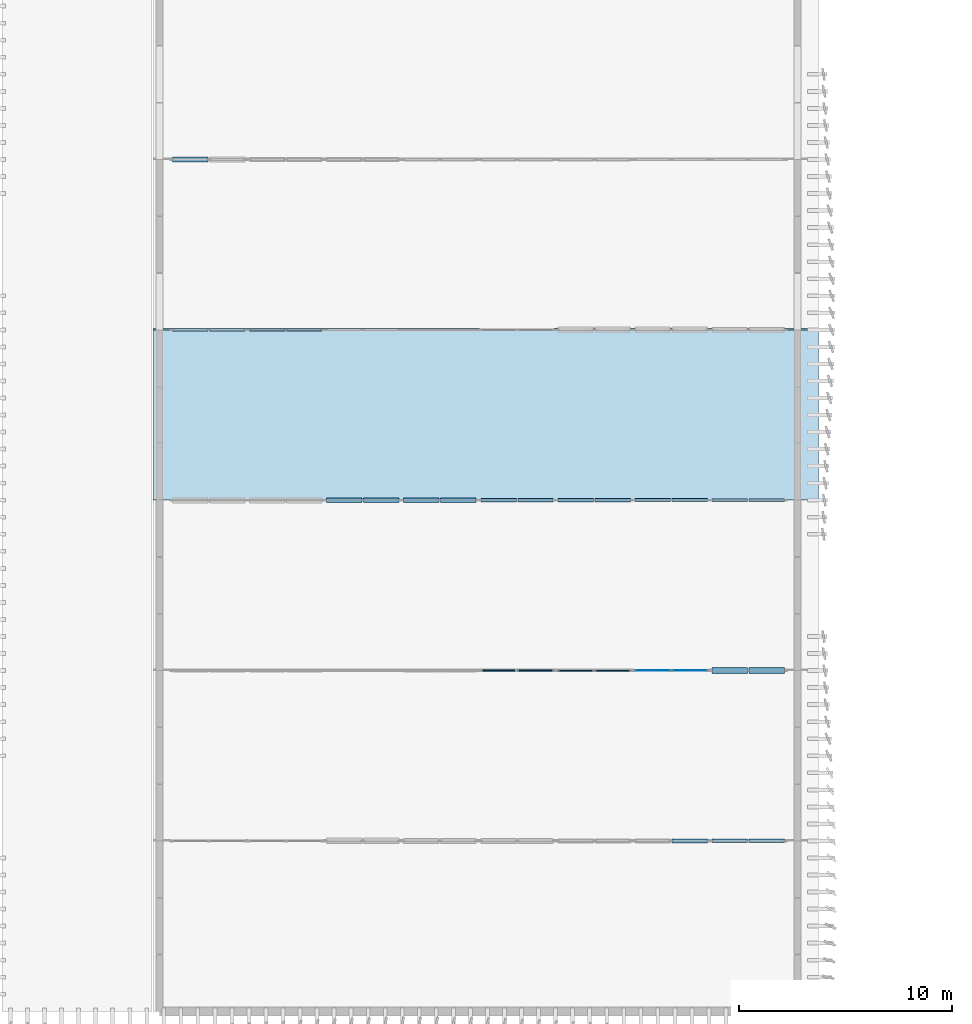
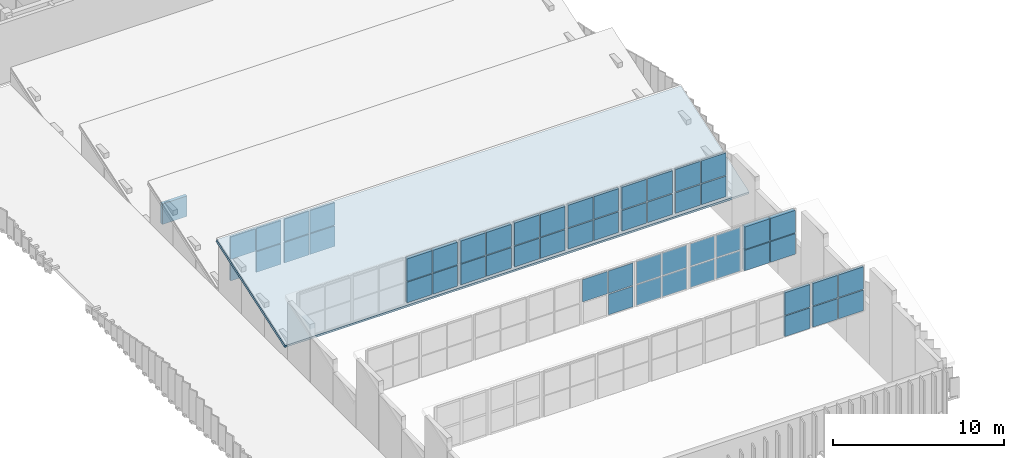
# One storey, part 19 of 45: 54 plates, 1 slab, 15 elements without a shape of their own.
"""IFC4 building model written with IfcOpenShell, lengths in metres."""

from ifc_helpers import new_model, si_unit, direction, frame, origin, origin_2d, place, context, subcontext, project, spatial, polyline, rectangle, outline, extrude, material, layer, layer_set, type_object, element, aggregate, save


model = new_model("IFC4")

# Units and contexts
model_context = context("Model", 3, precision=1e-05, world=origin(), true_north=direction((0.0, 1.0)))
body_context = subcontext(model_context, "Body", "Model", "MODEL_VIEW")
ifc_project = project(units=[si_unit("LENGTHUNIT", "METRE"), si_unit("AREAUNIT", "SQUARE_METRE"), si_unit("VOLUMEUNIT", "CUBIC_METRE"), si_unit("PLANEANGLEUNIT", "RADIAN"), si_unit("MASSUNIT", "GRAM", prefix="KILO")], contexts=[model_context])

# Site, building, storey
site_placement = place(None, origin())
site = spatial("IfcSite", under=ifc_project, at=site_placement, CompositionType="ELEMENT")
building_placement = place(site_placement, origin())
building = spatial("IfcBuilding", under=site, at=building_placement, Name="Cinchona Park Media Centre", CompositionType="ELEMENT")
storey_placement = place(building_placement, frame((0.0, 0.0, 20.39990234375)))
storey = spatial("IfcBuildingStorey", under=building, at=storey_placement, Name="L04", CompositionType="ELEMENT", Elevation=20.39990234375)

# Curtain wall, plates
ifc_material_1 = material(Name="Aluminium Curtain Wall Framing", Category="aluminium")
ifc_layer_1 = layer(ifc_material_1, 0.31494140625)
ifc_layer_set_1 = layer_set([ifc_layer_1], Name="Aluminium Curtain Wall Framing")
curtain_wall_type = type_object("IfcCurtainWallType", Name="CW-CW10", PredefinedType="USERDEFINED", material=ifc_layer_set_1)
curtain_wall_1_placement = place(storey_placement, origin())
curtain_wall_1 = element("IfcCurtainWall", 1, at=curtain_wall_1_placement, inside=storey, type_object=curtain_wall_type, Name="North-Light Sawtooth Clerestory V1 Bay 2.2 CW10 L04", ObjectType="UNITISED CURTAIN WALL", PredefinedType="USERDEFINED")
ifc_material_2 = material(Name="Laminated Solar-Control Double Glazing", Category="glass")
ifc_layer_2 = layer(ifc_material_2, 0.030029296875)
ifc_layer_set_2 = layer_set([ifc_layer_2], Name="Laminated Solar-Control Double Glazing")
plate_type_1 = type_object("IfcPlateType", Name="CWPANEL-PNL02", PredefinedType="CURTAIN_PANEL", material=ifc_layer_set_2)
plate_1_placement = place(storey_placement, frame((40.297607421875, 23.60009765625, 1.85009765625), z_axis=(0.0, 0.0, 1.0), x_axis=(-1.0, 0.0, 0.0)))
plate_1 = element("IfcPlate", 2, at=plate_1_placement, type_object=plate_type_1, Name="CW10 panel 1.1", PredefinedType="CURTAIN_PANEL", context=body_context, shape_type="SweptSolid", body=[
    extrude(rectangle(XDim=1.6650390625, YDim=0.030029296875, at=origin_2d()), origin(), (0.0, 0.0, 1.0), 1.4580078125),
])
plate_2_placement = place(storey_placement, frame((40.297607421875, 23.60009765625, 3.3779296875), z_axis=(0.0, 0.0, 1.0), x_axis=(-1.0, 0.0, 0.0)))
plate_2 = element("IfcPlate", 3, at=plate_2_placement, type_object=plate_type_1, Name="CW10 panel 1.2", PredefinedType="CURTAIN_PANEL", context=body_context, shape_type="SweptSolid", body=[
    extrude(rectangle(XDim=1.6650390625, YDim=0.030029296875, at=origin_2d()), origin(), (0.0, 0.0, 1.0), 1.589111328125),
])
plate_3_placement = place(storey_placement, frame((38.5625, 23.60009765625, 1.85009765625), z_axis=(0.0, 0.0, 1.0), x_axis=(-1.0, 0.0, 0.0)))
plate_3 = element("IfcPlate", 4, at=plate_3_placement, type_object=plate_type_1, Name="CW10 panel 2.1", PredefinedType="CURTAIN_PANEL", context=body_context, shape_type="SweptSolid", body=[
    extrude(rectangle(XDim=1.6650390625, YDim=0.030029296875, at=origin_2d()), origin(), (0.0, 0.0, 1.0), 1.4580078125),
])
plate_4_placement = place(storey_placement, frame((38.5625, 23.60009765625, 3.3779296875), z_axis=(0.0, 0.0, 1.0), x_axis=(-1.0, 0.0, 0.0)))
plate_4 = element("IfcPlate", 5, at=plate_4_placement, type_object=plate_type_1, Name="CW10 panel 2.2", PredefinedType="CURTAIN_PANEL", context=body_context, shape_type="SweptSolid", body=[
    extrude(rectangle(XDim=1.6650390625, YDim=0.030029296875, at=origin_2d()), origin(), (0.0, 0.0, 1.0), 1.589111328125),
])
aggregate(curtain_wall_1, [plate_1, plate_2, plate_3, plate_4])

curtain_wall_2_placement = place(storey_placement, origin())
curtain_wall_2 = element("IfcCurtainWall", 6, at=curtain_wall_2_placement, inside=storey, type_object=curtain_wall_type, Name="North-Light Sawtooth Clerestory V1 Bay 2.3 CW10 L04", ObjectType="UNITISED CURTAIN WALL", PredefinedType="USERDEFINED")
ifc_material_3 = material(Name="Laminated Solar-Control Double Glazing", Category="glass")
ifc_layer_3 = layer(ifc_material_3, 0.050048828125)
ifc_layer_set_3 = layer_set([ifc_layer_3], Name="Laminated Solar-Control Double Glazing")
plate_type_2 = type_object("IfcPlateType", Name="CWPANEL-PNL04", PredefinedType="CURTAIN_PANEL", material=ifc_layer_set_3)
plate_5_placement = place(storey_placement, frame((36.677490234375, 23.60009765625, 1.85009765625), z_axis=(0.0, 0.0, 1.0), x_axis=(-1.0, 0.0, 0.0)))
plate_5 = element("IfcPlate", 7, at=plate_5_placement, type_object=plate_type_2, Name="CW10 panel 1.1", PredefinedType="CURTAIN_PANEL", context=body_context, shape_type="SweptSolid", body=[
    extrude(rectangle(XDim=1.6650390625, YDim=0.050048828125, at=origin_2d()), origin(), (0.0, 0.0, 1.0), 1.4580078125),
])
plate_6_placement = place(storey_placement, frame((36.677490234375, 23.60009765625, 3.3779296875), z_axis=(0.0, 0.0, 1.0), x_axis=(-1.0, 0.0, 0.0)))
plate_6 = element("IfcPlate", 8, at=plate_6_placement, type_object=plate_type_2, Name="CW10 panel 1.2", PredefinedType="CURTAIN_PANEL", context=body_context, shape_type="SweptSolid", body=[
    extrude(rectangle(XDim=1.6650390625, YDim=0.050048828125, at=origin_2d()), origin(), (0.0, 0.0, 1.0), 1.589111328125),
])
plate_7_placement = place(storey_placement, frame((34.9423828125, 23.60009765625, 1.85009765625), z_axis=(0.0, 0.0, 1.0), x_axis=(-1.0, 0.0, 0.0)))
plate_7 = element("IfcPlate", 9, at=plate_7_placement, type_object=plate_type_2, Name="CW10 panel 2.1", PredefinedType="CURTAIN_PANEL", context=body_context, shape_type="SweptSolid", body=[
    extrude(rectangle(XDim=1.6650390625, YDim=0.050048828125, at=origin_2d()), origin(), (0.0, 0.0, 1.0), 1.4580078125),
])
plate_8_placement = place(storey_placement, frame((34.9423828125, 23.60009765625, 3.3779296875), z_axis=(0.0, 0.0, 1.0), x_axis=(-1.0, 0.0, 0.0)))
plate_8 = element("IfcPlate", 10, at=plate_8_placement, type_object=plate_type_2, Name="CW10 panel 2.2", PredefinedType="CURTAIN_PANEL", context=body_context, shape_type="SweptSolid", body=[
    extrude(rectangle(XDim=1.6650390625, YDim=0.050048828125, at=origin_2d()), origin(), (0.0, 0.0, 1.0), 1.589111328125),
])
aggregate(curtain_wall_2, [plate_5, plate_6, plate_7, plate_8])

curtain_wall_3_placement = place(storey_placement, origin())
curtain_wall_3 = element("IfcCurtainWall", 11, at=curtain_wall_3_placement, inside=storey, type_object=curtain_wall_type, Name="North-Light Sawtooth Clerestory V1 Bay 2.4 CW10 L04", ObjectType="UNITISED CURTAIN WALL", PredefinedType="USERDEFINED")
ifc_material_4 = material(Name="Laminated Solar-Control Double Glazing", Category="glass")
ifc_layer_4 = layer(ifc_material_4, 0.070068359375)
ifc_layer_set_4 = layer_set([ifc_layer_4], Name="Laminated Solar-Control Double Glazing")
plate_type_3 = type_object("IfcPlateType", Name="CWPANEL-PNL06", PredefinedType="CURTAIN_PANEL", material=ifc_layer_set_4)
plate_9_placement = place(storey_placement, frame((33.0576171875, 23.60009765625, 1.85009765625), z_axis=(0.0, 0.0, 1.0), x_axis=(-1.0, 0.0, 0.0)))
plate_9 = element("IfcPlate", 12, at=plate_9_placement, type_object=plate_type_3, Name="CW10 panel 1.1", PredefinedType="CURTAIN_PANEL", context=body_context, shape_type="SweptSolid", body=[
    extrude(rectangle(XDim=1.6650390625, YDim=0.070068359375, at=origin_2d()), origin(), (0.0, 0.0, 1.0), 1.4580078125),
])
plate_10_placement = place(storey_placement, frame((33.0576171875, 23.60009765625, 3.3779296875), z_axis=(0.0, 0.0, 1.0), x_axis=(-1.0, 0.0, 0.0)))
plate_10 = element("IfcPlate", 13, at=plate_10_placement, type_object=plate_type_3, Name="CW10 panel 1.2", PredefinedType="CURTAIN_PANEL", context=body_context, shape_type="SweptSolid", body=[
    extrude(rectangle(XDim=1.6650390625, YDim=0.070068359375, at=origin_2d()), origin(), (0.0, 0.0, 1.0), 1.589111328125),
])
plate_11_placement = place(storey_placement, frame((31.322509765625, 23.60009765625, 3.3779296875), z_axis=(0.0, 0.0, 1.0), x_axis=(-1.0, 0.0, 0.0)))
plate_11 = element("IfcPlate", 14, at=plate_11_placement, type_object=plate_type_3, Name="CW10 panel 2.2", PredefinedType="CURTAIN_PANEL", context=body_context, shape_type="SweptSolid", body=[
    extrude(rectangle(XDim=1.6650390625, YDim=0.070068359375, at=origin_2d()), origin(), (0.0, 0.0, 1.0), 1.589111328125),
])
aggregate(curtain_wall_3, [plate_9, plate_10, plate_11])

curtain_wall_4_placement = place(storey_placement, origin())
curtain_wall_4 = element("IfcCurtainWall", 15, at=curtain_wall_4_placement, inside=storey, type_object=curtain_wall_type, Name="North-Light Sawtooth Clerestory V1 Bay 4.7 CW10 L04", ObjectType="UNITISED CURTAIN WALL", PredefinedType="USERDEFINED")
ifc_material_5 = material(Name="Insulated Acoustic Aluminium-Glass Spandrel Cassette", Category="aluminium")
ifc_layer_5 = layer(ifc_material_5, 0.090087890625)
ifc_layer_set_5 = layer_set([ifc_layer_5], Name="Insulated Acoustic Aluminium-Glass Spandrel Cassette")
plate_type_4 = type_object("IfcPlateType", Name="CWPANEL-PNL08", PredefinedType="CURTAIN_PANEL", material=ifc_layer_set_5)
plate_12_placement = place(storey_placement, frame((22.197509765625, 39.60009765625, 0.25), z_axis=(0.0, 0.0, 1.0), x_axis=(-1.0, 0.0, 0.0)))
plate_12 = element("IfcPlate", 16, at=plate_12_placement, type_object=plate_type_4, Name="CW10 panel 1.1", PredefinedType="CURTAIN_PANEL", context=body_context, shape_type="SweptSolid", body=[
    extrude(rectangle(XDim=1.6650390625, YDim=0.090087890625, at=origin_2d()), origin(), (0.0, 0.0, 1.0), 1.4580078125),
])
plate_13_placement = place(storey_placement, frame((22.197509765625, 39.60009765625, 1.77783203125), z_axis=(0.0, 0.0, 1.0), x_axis=(-1.0, 0.0, 0.0)))
plate_13 = element("IfcPlate", 17, at=plate_13_placement, type_object=plate_type_4, Name="CW10 panel 1.2", PredefinedType="CURTAIN_PANEL", context=body_context, shape_type="SweptSolid", body=[
    extrude(rectangle(XDim=1.6650390625, YDim=0.090087890625, at=origin_2d()), origin(), (0.0, 0.0, 1.0), 1.589111328125),
])
plate_14_placement = place(storey_placement, frame((20.46240234375, 39.60009765625, 0.25), z_axis=(0.0, 0.0, 1.0), x_axis=(-1.0, 0.0, 0.0)))
plate_14 = element("IfcPlate", 18, at=plate_14_placement, type_object=plate_type_4, Name="CW10 panel 2.1", PredefinedType="CURTAIN_PANEL", context=body_context, shape_type="SweptSolid", body=[
    extrude(rectangle(XDim=1.6650390625, YDim=0.090087890625, at=origin_2d()), origin(), (0.0, 0.0, 1.0), 1.4580078125),
])
plate_15_placement = place(storey_placement, frame((20.46240234375, 39.60009765625, 1.77783203125), z_axis=(0.0, 0.0, 1.0), x_axis=(-1.0, 0.0, 0.0)))
plate_15 = element("IfcPlate", 19, at=plate_15_placement, type_object=plate_type_4, Name="CW10 panel 2.2", PredefinedType="CURTAIN_PANEL", context=body_context, shape_type="SweptSolid", body=[
    extrude(rectangle(XDim=1.6650390625, YDim=0.090087890625, at=origin_2d()), origin(), (0.0, 0.0, 1.0), 1.589111328125),
])
aggregate(curtain_wall_4, [plate_12, plate_13, plate_14, plate_15])

curtain_wall_5_placement = place(storey_placement, origin())
curtain_wall_5 = element("IfcCurtainWall", 20, at=curtain_wall_5_placement, inside=storey, type_object=curtain_wall_type, Name="North-Light Sawtooth Clerestory V1 Bay 4.8 CW10 L04", ObjectType="UNITISED CURTAIN WALL", PredefinedType="USERDEFINED")
ifc_material_6 = material(Name="Insulated Acoustic Aluminium-Glass Spandrel Cassette", Category="aluminium")
ifc_layer_6 = layer(ifc_material_6, 0.110107421875)
ifc_layer_set_6 = layer_set([ifc_layer_6], Name="Insulated Acoustic Aluminium-Glass Spandrel Cassette")
plate_type_5 = type_object("IfcPlateType", Name="CWPANEL-PNL10", PredefinedType="CURTAIN_PANEL", material=ifc_layer_set_6)
plate_16_placement = place(storey_placement, frame((18.577392578125, 39.60009765625, 0.25), z_axis=(0.0, 0.0, 1.0), x_axis=(-1.0, 0.0, 0.0)))
plate_16 = element("IfcPlate", 21, at=plate_16_placement, type_object=plate_type_5, Name="CW10 panel 1.1", PredefinedType="CURTAIN_PANEL", context=body_context, shape_type="SweptSolid", body=[
    extrude(rectangle(XDim=1.6650390625, YDim=0.110107421875, at=origin_2d()), origin(), (0.0, 0.0, 1.0), 1.4580078125),
])
plate_17_placement = place(storey_placement, frame((18.577392578125, 39.60009765625, 1.77783203125), z_axis=(0.0, 0.0, 1.0), x_axis=(-1.0, 0.0, 0.0)))
plate_17 = element("IfcPlate", 22, at=plate_17_placement, type_object=plate_type_5, Name="CW10 panel 1.2", PredefinedType="CURTAIN_PANEL", context=body_context, shape_type="SweptSolid", body=[
    extrude(rectangle(XDim=1.6650390625, YDim=0.110107421875, at=origin_2d()), origin(), (0.0, 0.0, 1.0), 1.589111328125),
])
plate_18_placement = place(storey_placement, frame((16.842529296875, 39.60009765625, 0.25), z_axis=(0.0, 0.0, 1.0), x_axis=(-1.0, 0.0, 0.0)))
plate_18 = element("IfcPlate", 23, at=plate_18_placement, type_object=plate_type_5, Name="CW10 panel 2.1", PredefinedType="CURTAIN_PANEL", context=body_context, shape_type="SweptSolid", body=[
    extrude(rectangle(XDim=1.6650390625, YDim=0.110107421875, at=origin_2d()), origin(), (0.0, 0.0, 1.0), 1.4580078125),
])
plate_19_placement = place(storey_placement, frame((16.842529296875, 39.60009765625, 1.77783203125), z_axis=(0.0, 0.0, 1.0), x_axis=(-1.0, 0.0, 0.0)))
plate_19 = element("IfcPlate", 24, at=plate_19_placement, type_object=plate_type_5, Name="CW10 panel 2.2", PredefinedType="CURTAIN_PANEL", context=body_context, shape_type="SweptSolid", body=[
    extrude(rectangle(XDim=1.6650390625, YDim=0.110107421875, at=origin_2d()), origin(), (0.0, 0.0, 1.0), 1.589111328125),
])
aggregate(curtain_wall_5, [plate_16, plate_17, plate_18, plate_19])

curtain_wall_6_placement = place(storey_placement, origin())
curtain_wall_6 = element("IfcCurtainWall", 25, at=curtain_wall_6_placement, inside=storey, type_object=curtain_wall_type, Name="North-Light Sawtooth Clerestory V1 Bay 3.1 CW10 L04", ObjectType="UNITISED CURTAIN WALL", PredefinedType="USERDEFINED")
ifc_material_7 = material(Name="Insulated Acoustic Aluminium-Glass Spandrel Cassette", Category="aluminium")
ifc_layer_7 = layer(ifc_material_7, 0.1201171875)
ifc_layer_set_7 = layer_set([ifc_layer_7], Name="Insulated Acoustic Aluminium-Glass Spandrel Cassette")
plate_type_6 = type_object("IfcPlateType", Name="CWPANEL-PNL11", PredefinedType="CURTAIN_PANEL", material=ifc_layer_set_7)
plate_20_placement = place(storey_placement, frame((43.91748046875, 31.60009765625, 1.050048828125), z_axis=(0.0, 0.0, 1.0), x_axis=(-1.0, 0.0, 0.0)))
plate_20 = element("IfcPlate", 26, at=plate_20_placement, type_object=plate_type_6, Name="CW10 panel 1.1", PredefinedType="CURTAIN_PANEL", context=body_context, shape_type="SweptSolid", body=[
    extrude(rectangle(XDim=1.6650390625, YDim=0.1201171875, at=origin_2d()), origin(), (0.0, 0.0, 1.0), 1.4580078125),
])
plate_21_placement = place(storey_placement, frame((43.91748046875, 31.60009765625, 2.578125), z_axis=(0.0, 0.0, 1.0), x_axis=(-1.0, 0.0, 0.0)))
plate_21 = element("IfcPlate", 27, at=plate_21_placement, type_object=plate_type_6, Name="CW10 panel 1.2", PredefinedType="CURTAIN_PANEL", context=body_context, shape_type="SweptSolid", body=[
    extrude(rectangle(XDim=1.6650390625, YDim=0.1201171875, at=origin_2d()), origin(), (0.0, 0.0, 1.0), 1.589111328125),
])
plate_22_placement = place(storey_placement, frame((42.1826171875, 31.60009765625, 1.050048828125), z_axis=(0.0, 0.0, 1.0), x_axis=(-1.0, 0.0, 0.0)))
plate_22 = element("IfcPlate", 28, at=plate_22_placement, type_object=plate_type_6, Name="CW10 panel 2.1", PredefinedType="CURTAIN_PANEL", context=body_context, shape_type="SweptSolid", body=[
    extrude(rectangle(XDim=1.6650390625, YDim=0.1201171875, at=origin_2d()), origin(), (0.0, 0.0, 1.0), 1.4580078125),
])
plate_23_placement = place(storey_placement, frame((42.1826171875, 31.60009765625, 2.578125), z_axis=(0.0, 0.0, 1.0), x_axis=(-1.0, 0.0, 0.0)))
plate_23 = element("IfcPlate", 29, at=plate_23_placement, type_object=plate_type_6, Name="CW10 panel 2.2", PredefinedType="CURTAIN_PANEL", context=body_context, shape_type="SweptSolid", body=[
    extrude(rectangle(XDim=1.6650390625, YDim=0.1201171875, at=origin_2d()), origin(), (0.0, 0.0, 1.0), 1.589111328125),
])
aggregate(curtain_wall_6, [plate_20, plate_21, plate_22, plate_23])

curtain_wall_7_placement = place(storey_placement, origin())
curtain_wall_7 = element("IfcCurtainWall", 30, at=curtain_wall_7_placement, inside=storey, type_object=curtain_wall_type, Name="North-Light Sawtooth Clerestory V1 Bay 3.2 CW10 L04", ObjectType="UNITISED CURTAIN WALL", PredefinedType="USERDEFINED")
ifc_material_8 = material(Name="Insulated Acoustic Aluminium-Glass Spandrel Cassette", Category="aluminium")
ifc_layer_8 = layer(ifc_material_8, 0.139892578125)
ifc_layer_set_8 = layer_set([ifc_layer_8], Name="Insulated Acoustic Aluminium-Glass Spandrel Cassette")
plate_type_7 = type_object("IfcPlateType", Name="CWPANEL-PNL13", PredefinedType="CURTAIN_PANEL", material=ifc_layer_set_8)
plate_24_placement = place(storey_placement, frame((40.297607421875, 31.60009765625, 1.050048828125), z_axis=(0.0, 0.0, 1.0), x_axis=(-1.0, 0.0, 0.0)))
plate_24 = element("IfcPlate", 31, at=plate_24_placement, type_object=plate_type_7, Name="CW10 panel 1.1", PredefinedType="CURTAIN_PANEL", context=body_context, shape_type="SweptSolid", body=[
    extrude(rectangle(XDim=1.6650390625, YDim=0.139892578125, at=origin_2d()), origin(), (0.0, 0.0, 1.0), 1.4580078125),
])
plate_25_placement = place(storey_placement, frame((40.297607421875, 31.60009765625, 2.578125), z_axis=(0.0, 0.0, 1.0), x_axis=(-1.0, 0.0, 0.0)))
plate_25 = element("IfcPlate", 32, at=plate_25_placement, type_object=plate_type_7, Name="CW10 panel 1.2", PredefinedType="CURTAIN_PANEL", context=body_context, shape_type="SweptSolid", body=[
    extrude(rectangle(XDim=1.6650390625, YDim=0.139892578125, at=origin_2d()), origin(), (0.0, 0.0, 1.0), 1.589111328125),
])
plate_26_placement = place(storey_placement, frame((38.5625, 31.60009765625, 1.050048828125), z_axis=(0.0, 0.0, 1.0), x_axis=(-1.0, 0.0, 0.0)))
plate_26 = element("IfcPlate", 33, at=plate_26_placement, type_object=plate_type_7, Name="CW10 panel 2.1", PredefinedType="CURTAIN_PANEL", context=body_context, shape_type="SweptSolid", body=[
    extrude(rectangle(XDim=1.6650390625, YDim=0.139892578125, at=origin_2d()), origin(), (0.0, 0.0, 1.0), 1.4580078125),
])
plate_27_placement = place(storey_placement, frame((38.5625, 31.60009765625, 2.578125), z_axis=(0.0, 0.0, 1.0), x_axis=(-1.0, 0.0, 0.0)))
plate_27 = element("IfcPlate", 34, at=plate_27_placement, type_object=plate_type_7, Name="CW10 panel 2.2", PredefinedType="CURTAIN_PANEL", context=body_context, shape_type="SweptSolid", body=[
    extrude(rectangle(XDim=1.6650390625, YDim=0.139892578125, at=origin_2d()), origin(), (0.0, 0.0, 1.0), 1.589111328125),
])
aggregate(curtain_wall_7, [plate_24, plate_25, plate_26, plate_27])

curtain_wall_8_placement = place(storey_placement, origin())
curtain_wall_8 = element("IfcCurtainWall", 35, at=curtain_wall_8_placement, inside=storey, type_object=curtain_wall_type, Name="North-Light Sawtooth Clerestory V1 Bay 1.1 CW10 L04", ObjectType="UNITISED CURTAIN WALL", PredefinedType="USERDEFINED")
ifc_material_9 = material(Name="Insulated Acoustic Aluminium-Glass Spandrel Cassette", Category="aluminium")
ifc_layer_9 = layer(ifc_material_9, 0.159912109375)
ifc_layer_set_9 = layer_set([ifc_layer_9], Name="Insulated Acoustic Aluminium-Glass Spandrel Cassette")
plate_type_8 = type_object("IfcPlateType", Name="CWPANEL-PNL15", PredefinedType="CURTAIN_PANEL", material=ifc_layer_set_9)
plate_28_placement = place(storey_placement, frame((43.91748046875, 15.60009765625, 2.650146484375), z_axis=(0.0, 0.0, 1.0), x_axis=(-1.0, 0.0, 0.0)))
plate_28 = element("IfcPlate", 36, at=plate_28_placement, type_object=plate_type_8, Name="CW10 panel 1.1", PredefinedType="CURTAIN_PANEL", context=body_context, shape_type="SweptSolid", body=[
    extrude(rectangle(XDim=1.6650390625, YDim=0.159912109375, at=origin_2d()), origin(), (0.0, 0.0, 1.0), 1.4580078125),
])
plate_29_placement = place(storey_placement, frame((43.91748046875, 15.60009765625, 4.17822265625), z_axis=(0.0, 0.0, 1.0), x_axis=(-1.0, 0.0, 0.0)))
plate_29 = element("IfcPlate", 37, at=plate_29_placement, type_object=plate_type_8, Name="CW10 panel 1.2", PredefinedType="CURTAIN_PANEL", context=body_context, shape_type="SweptSolid", body=[
    extrude(rectangle(XDim=1.6650390625, YDim=0.159912109375, at=origin_2d()), origin(), (0.0, 0.0, 1.0), 1.589111328125),
])
plate_30_placement = place(storey_placement, frame((42.1826171875, 15.60009765625, 2.650146484375), z_axis=(0.0, 0.0, 1.0), x_axis=(-1.0, 0.0, 0.0)))
plate_30 = element("IfcPlate", 38, at=plate_30_placement, type_object=plate_type_8, Name="CW10 panel 2.1", PredefinedType="CURTAIN_PANEL", context=body_context, shape_type="SweptSolid", body=[
    extrude(rectangle(XDim=1.6650390625, YDim=0.159912109375, at=origin_2d()), origin(), (0.0, 0.0, 1.0), 1.4580078125),
])
plate_31_placement = place(storey_placement, frame((42.1826171875, 15.60009765625, 4.17822265625), z_axis=(0.0, 0.0, 1.0), x_axis=(-1.0, 0.0, 0.0)))
plate_31 = element("IfcPlate", 39, at=plate_31_placement, type_object=plate_type_8, Name="CW10 panel 2.2", PredefinedType="CURTAIN_PANEL", context=body_context, shape_type="SweptSolid", body=[
    extrude(rectangle(XDim=1.6650390625, YDim=0.159912109375, at=origin_2d()), origin(), (0.0, 0.0, 1.0), 1.589111328125),
])
aggregate(curtain_wall_8, [plate_28, plate_29, plate_30, plate_31])

curtain_wall_9_placement = place(storey_placement, origin())
curtain_wall_9 = element("IfcCurtainWall", 40, at=curtain_wall_9_placement, inside=storey, type_object=curtain_wall_type, Name="North-Light Sawtooth Clerestory V1 Bay 3.3 CW10 L04", ObjectType="UNITISED CURTAIN WALL", PredefinedType="USERDEFINED")
plate_32_placement = place(storey_placement, frame((36.677490234375, 31.60009765625, 1.050048828125), z_axis=(0.0, 0.0, 1.0), x_axis=(-1.0, 0.0, 0.0)))
plate_32 = element("IfcPlate", 41, at=plate_32_placement, type_object=plate_type_8, Name="CW10 panel 1.1", PredefinedType="CURTAIN_PANEL", context=body_context, shape_type="SweptSolid", body=[
    extrude(rectangle(XDim=1.6650390625, YDim=0.159912109375, at=origin_2d()), origin(), (0.0, 0.0, 1.0), 1.4580078125),
])
plate_33_placement = place(storey_placement, frame((36.677490234375, 31.60009765625, 2.578125), z_axis=(0.0, 0.0, 1.0), x_axis=(-1.0, 0.0, 0.0)))
plate_33 = element("IfcPlate", 42, at=plate_33_placement, type_object=plate_type_8, Name="CW10 panel 1.2", PredefinedType="CURTAIN_PANEL", context=body_context, shape_type="SweptSolid", body=[
    extrude(rectangle(XDim=1.6650390625, YDim=0.159912109375, at=origin_2d()), origin(), (0.0, 0.0, 1.0), 1.589111328125),
])
plate_34_placement = place(storey_placement, frame((34.9423828125, 31.60009765625, 1.050048828125), z_axis=(0.0, 0.0, 1.0), x_axis=(-1.0, 0.0, 0.0)))
plate_34 = element("IfcPlate", 43, at=plate_34_placement, type_object=plate_type_8, Name="CW10 panel 2.1", PredefinedType="CURTAIN_PANEL", context=body_context, shape_type="SweptSolid", body=[
    extrude(rectangle(XDim=1.6650390625, YDim=0.159912109375, at=origin_2d()), origin(), (0.0, 0.0, 1.0), 1.4580078125),
])
plate_35_placement = place(storey_placement, frame((34.9423828125, 31.60009765625, 2.578125), z_axis=(0.0, 0.0, 1.0), x_axis=(-1.0, 0.0, 0.0)))
plate_35 = element("IfcPlate", 44, at=plate_35_placement, type_object=plate_type_8, Name="CW10 panel 2.2", PredefinedType="CURTAIN_PANEL", context=body_context, shape_type="SweptSolid", body=[
    extrude(rectangle(XDim=1.6650390625, YDim=0.159912109375, at=origin_2d()), origin(), (0.0, 0.0, 1.0), 1.589111328125),
])
aggregate(curtain_wall_9, [plate_32, plate_33, plate_34, plate_35])

curtain_wall_10_placement = place(storey_placement, origin())
curtain_wall_10 = element("IfcCurtainWall", 45, at=curtain_wall_10_placement, inside=storey, type_object=curtain_wall_type, Name="North-Light Sawtooth Clerestory V1 Bay 1.2 CW10 L04", ObjectType="UNITISED CURTAIN WALL", PredefinedType="USERDEFINED")
ifc_material_10 = material(Name="Insulated Acoustic Aluminium-Glass Spandrel Cassette", Category="aluminium")
ifc_layer_10 = layer(ifc_material_10, 0.179931640625)
ifc_layer_set_10 = layer_set([ifc_layer_10], Name="Insulated Acoustic Aluminium-Glass Spandrel Cassette")
plate_type_9 = type_object("IfcPlateType", Name="CWPANEL-PNL17", PredefinedType="CURTAIN_PANEL", material=ifc_layer_set_10)
plate_36_placement = place(storey_placement, frame((40.297607421875, 15.60009765625, 2.650146484375), z_axis=(0.0, 0.0, 1.0), x_axis=(-1.0, 0.0, 0.0)))
plate_36 = element("IfcPlate", 46, at=plate_36_placement, type_object=plate_type_9, Name="CW10 panel 1.1", PredefinedType="CURTAIN_PANEL", context=body_context, shape_type="SweptSolid", body=[
    extrude(rectangle(XDim=1.6650390625, YDim=0.179931640625, at=origin_2d()), origin(), (0.0, 0.0, 1.0), 1.4580078125),
])
plate_37_placement = place(storey_placement, frame((40.297607421875, 15.60009765625, 4.17822265625), z_axis=(0.0, 0.0, 1.0), x_axis=(-1.0, 0.0, 0.0)))
plate_37 = element("IfcPlate", 47, at=plate_37_placement, type_object=plate_type_9, Name="CW10 panel 1.2", PredefinedType="CURTAIN_PANEL", context=body_context, shape_type="SweptSolid", body=[
    extrude(rectangle(XDim=1.6650390625, YDim=0.179931640625, at=origin_2d()), origin(), (0.0, 0.0, 1.0), 1.589111328125),
])
aggregate(curtain_wall_10, [plate_36, plate_37])

curtain_wall_11_placement = place(storey_placement, origin())
curtain_wall_11 = element("IfcCurtainWall", 48, at=curtain_wall_11_placement, inside=storey, type_object=curtain_wall_type, Name="North-Light Sawtooth Clerestory V1 Bay 3.4 CW10 L04", ObjectType="UNITISED CURTAIN WALL", PredefinedType="USERDEFINED")
plate_38_placement = place(storey_placement, frame((33.0576171875, 31.60009765625, 1.050048828125), z_axis=(0.0, 0.0, 1.0), x_axis=(-1.0, 0.0, 0.0)))
plate_38 = element("IfcPlate", 49, at=plate_38_placement, type_object=plate_type_9, Name="CW10 panel 1.1", PredefinedType="CURTAIN_PANEL", context=body_context, shape_type="SweptSolid", body=[
    extrude(rectangle(XDim=1.6650390625, YDim=0.179931640625, at=origin_2d()), origin(), (0.0, 0.0, 1.0), 1.4580078125),
])
plate_39_placement = place(storey_placement, frame((33.0576171875, 31.60009765625, 2.578125), z_axis=(0.0, 0.0, 1.0), x_axis=(-1.0, 0.0, 0.0)))
plate_39 = element("IfcPlate", 50, at=plate_39_placement, type_object=plate_type_9, Name="CW10 panel 1.2", PredefinedType="CURTAIN_PANEL", context=body_context, shape_type="SweptSolid", body=[
    extrude(rectangle(XDim=1.6650390625, YDim=0.179931640625, at=origin_2d()), origin(), (0.0, 0.0, 1.0), 1.589111328125),
])
plate_40_placement = place(storey_placement, frame((31.322509765625, 31.60009765625, 1.050048828125), z_axis=(0.0, 0.0, 1.0), x_axis=(-1.0, 0.0, 0.0)))
plate_40 = element("IfcPlate", 51, at=plate_40_placement, type_object=plate_type_9, Name="CW10 panel 2.1", PredefinedType="CURTAIN_PANEL", context=body_context, shape_type="SweptSolid", body=[
    extrude(rectangle(XDim=1.6650390625, YDim=0.179931640625, at=origin_2d()), origin(), (0.0, 0.0, 1.0), 1.4580078125),
])
plate_41_placement = place(storey_placement, frame((31.322509765625, 31.60009765625, 2.578125), z_axis=(0.0, 0.0, 1.0), x_axis=(-1.0, 0.0, 0.0)))
plate_41 = element("IfcPlate", 52, at=plate_41_placement, type_object=plate_type_9, Name="CW10 panel 2.2", PredefinedType="CURTAIN_PANEL", context=body_context, shape_type="SweptSolid", body=[
    extrude(rectangle(XDim=1.6650390625, YDim=0.179931640625, at=origin_2d()), origin(), (0.0, 0.0, 1.0), 1.589111328125),
])
aggregate(curtain_wall_11, [plate_38, plate_39, plate_40, plate_41])

curtain_wall_12_placement = place(storey_placement, origin())
curtain_wall_12 = element("IfcCurtainWall", 53, at=curtain_wall_12_placement, inside=storey, type_object=curtain_wall_type, Name="North-Light Sawtooth Clerestory V1 Bay 3.5 CW10 L04", ObjectType="UNITISED CURTAIN WALL", PredefinedType="USERDEFINED")
ifc_material_11 = material(Name="Insulated Acoustic Aluminium-Glass Spandrel Cassette", Category="aluminium")
ifc_layer_11 = layer(ifc_material_11, 0.199951171875)
ifc_layer_set_11 = layer_set([ifc_layer_11], Name="Insulated Acoustic Aluminium-Glass Spandrel Cassette")
plate_type_10 = type_object("IfcPlateType", Name="CWPANEL-PNL19", PredefinedType="CURTAIN_PANEL", material=ifc_layer_set_11)
plate_42_placement = place(storey_placement, frame((29.4375, 31.60009765625, 1.050048828125), z_axis=(0.0, 0.0, 1.0), x_axis=(-1.0, 0.0, 0.0)))
plate_42 = element("IfcPlate", 54, at=plate_42_placement, type_object=plate_type_10, Name="CW10 panel 1.1", PredefinedType="CURTAIN_PANEL", context=body_context, shape_type="SweptSolid", body=[
    extrude(rectangle(XDim=1.6650390625, YDim=0.199951171875, at=origin_2d()), origin(), (0.0, 0.0, 1.0), 1.4580078125),
])
plate_43_placement = place(storey_placement, frame((29.4375, 31.60009765625, 2.578125), z_axis=(0.0, 0.0, 1.0), x_axis=(-1.0, 0.0, 0.0)))
plate_43 = element("IfcPlate", 55, at=plate_43_placement, type_object=plate_type_10, Name="CW10 panel 1.2", PredefinedType="CURTAIN_PANEL", context=body_context, shape_type="SweptSolid", body=[
    extrude(rectangle(XDim=1.6650390625, YDim=0.199951171875, at=origin_2d()), origin(), (0.0, 0.0, 1.0), 1.589111328125),
])
plate_44_placement = place(storey_placement, frame((27.702392578125, 31.60009765625, 1.050048828125), z_axis=(0.0, 0.0, 1.0), x_axis=(-1.0, 0.0, 0.0)))
plate_44 = element("IfcPlate", 56, at=plate_44_placement, type_object=plate_type_10, Name="CW10 panel 2.1", PredefinedType="CURTAIN_PANEL", context=body_context, shape_type="SweptSolid", body=[
    extrude(rectangle(XDim=1.6650390625, YDim=0.199951171875, at=origin_2d()), origin(), (0.0, 0.0, 1.0), 1.4580078125),
])
plate_45_placement = place(storey_placement, frame((27.702392578125, 31.60009765625, 2.578125), z_axis=(0.0, 0.0, 1.0), x_axis=(-1.0, 0.0, 0.0)))
plate_45 = element("IfcPlate", 57, at=plate_45_placement, type_object=plate_type_10, Name="CW10 panel 2.2", PredefinedType="CURTAIN_PANEL", context=body_context, shape_type="SweptSolid", body=[
    extrude(rectangle(XDim=1.6650390625, YDim=0.199951171875, at=origin_2d()), origin(), (0.0, 0.0, 1.0), 1.589111328125),
])
aggregate(curtain_wall_12, [plate_42, plate_43, plate_44, plate_45])

curtain_wall_13_placement = place(storey_placement, origin())
curtain_wall_13 = element("IfcCurtainWall", 58, at=curtain_wall_13_placement, inside=storey, type_object=curtain_wall_type, Name="North-Light Sawtooth Clerestory V1 Bay 3.6 CW10 L04", ObjectType="UNITISED CURTAIN WALL", PredefinedType="USERDEFINED")
ifc_material_12 = material(Name="Insulated Acoustic Aluminium-Glass Spandrel Cassette", Category="aluminium")
ifc_layer_12 = layer(ifc_material_12, 0.219970703125)
ifc_layer_set_12 = layer_set([ifc_layer_12], Name="Insulated Acoustic Aluminium-Glass Spandrel Cassette")
plate_type_11 = type_object("IfcPlateType", Name="CWPANEL-PNL21", PredefinedType="CURTAIN_PANEL", material=ifc_layer_set_12)
plate_46_placement = place(storey_placement, frame((25.8173828125, 31.60009765625, 1.050048828125), z_axis=(0.0, 0.0, 1.0), x_axis=(-1.0, 0.0, 0.0)))
plate_46 = element("IfcPlate", 59, at=plate_46_placement, type_object=plate_type_11, Name="CW10 panel 1.1", PredefinedType="CURTAIN_PANEL", context=body_context, shape_type="SweptSolid", body=[
    extrude(rectangle(XDim=1.6650390625, YDim=0.219970703125, at=origin_2d()), origin(), (0.0, 0.0, 1.0), 1.4580078125),
])
plate_47_placement = place(storey_placement, frame((25.8173828125, 31.60009765625, 2.578125), z_axis=(0.0, 0.0, 1.0), x_axis=(-1.0, 0.0, 0.0)))
plate_47 = element("IfcPlate", 60, at=plate_47_placement, type_object=plate_type_11, Name="CW10 panel 1.2", PredefinedType="CURTAIN_PANEL", context=body_context, shape_type="SweptSolid", body=[
    extrude(rectangle(XDim=1.6650390625, YDim=0.219970703125, at=origin_2d()), origin(), (0.0, 0.0, 1.0), 1.589111328125),
])
plate_48_placement = place(storey_placement, frame((24.08251953125, 31.60009765625, 1.050048828125), z_axis=(0.0, 0.0, 1.0), x_axis=(-1.0, 0.0, 0.0)))
plate_48 = element("IfcPlate", 61, at=plate_48_placement, type_object=plate_type_11, Name="CW10 panel 2.1", PredefinedType="CURTAIN_PANEL", context=body_context, shape_type="SweptSolid", body=[
    extrude(rectangle(XDim=1.6650390625, YDim=0.219970703125, at=origin_2d()), origin(), (0.0, 0.0, 1.0), 1.4580078125),
])
plate_49_placement = place(storey_placement, frame((24.08251953125, 31.60009765625, 2.578125), z_axis=(0.0, 0.0, 1.0), x_axis=(-1.0, 0.0, 0.0)))
plate_49 = element("IfcPlate", 62, at=plate_49_placement, type_object=plate_type_11, Name="CW10 panel 2.2", PredefinedType="CURTAIN_PANEL", context=body_context, shape_type="SweptSolid", body=[
    extrude(rectangle(XDim=1.6650390625, YDim=0.219970703125, at=origin_2d()), origin(), (0.0, 0.0, 1.0), 1.589111328125),
])
aggregate(curtain_wall_13, [plate_46, plate_47, plate_48, plate_49])

# Curtain wall, plate
curtain_wall_14_placement = place(storey_placement, origin())
curtain_wall_14 = element("IfcCurtainWall", 63, at=curtain_wall_14_placement, inside=storey, type_object=curtain_wall_type, Name="North-Light Sawtooth Clerestory V1 Bay 5.8 CW10 L04", ObjectType="UNITISED CURTAIN WALL", PredefinedType="USERDEFINED")
plate_50_placement = place(storey_placement, frame((16.842529296875, 47.60009765625, -0.5498046875), z_axis=(0.0, 0.0, 1.0), x_axis=(-1.0, 0.0, 0.0)))
plate_50 = element("IfcPlate", 64, at=plate_50_placement, type_object=plate_type_11, Name="CW10 panel 2.1", PredefinedType="CURTAIN_PANEL", context=body_context, shape_type="SweptSolid", body=[
    extrude(rectangle(XDim=1.6650390625, YDim=0.219970703125, at=origin_2d()), origin(), (0.0, 0.0, 1.0), 1.4580078125),
])
aggregate(curtain_wall_14, [plate_50])

# Curtain wall, plates
curtain_wall_15_placement = place(storey_placement, origin())
curtain_wall_15 = element("IfcCurtainWall", 65, at=curtain_wall_15_placement, inside=storey, type_object=curtain_wall_type, Name="North-Light Sawtooth Clerestory V1 Bay 2.1 CW10 L04", ObjectType="UNITISED CURTAIN WALL", PredefinedType="USERDEFINED")
ifc_material_13 = material(Name="Insulated Acoustic Aluminium-Glass Spandrel Cassette", Category="aluminium")
ifc_layer_13 = layer(ifc_material_13, 0.27001953125)
ifc_layer_set_13 = layer_set([ifc_layer_13], Name="Insulated Acoustic Aluminium-Glass Spandrel Cassette")
plate_type_12 = type_object("IfcPlateType", Name="CWPANEL-PNL26", PredefinedType="CURTAIN_PANEL", material=ifc_layer_set_13)
plate_51_placement = place(storey_placement, frame((43.91748046875, 23.60009765625, 1.85009765625), z_axis=(0.0, 0.0, 1.0), x_axis=(-1.0, 0.0, 0.0)))
plate_51 = element("IfcPlate", 66, at=plate_51_placement, type_object=plate_type_12, Name="CW10 panel 1.1", PredefinedType="CURTAIN_PANEL", context=body_context, shape_type="SweptSolid", body=[
    extrude(rectangle(XDim=1.6650390625, YDim=0.27001953125, at=origin_2d()), origin(), (0.0, 0.0, 1.0), 1.4580078125),
])
plate_52_placement = place(storey_placement, frame((43.91748046875, 23.60009765625, 3.3779296875), z_axis=(0.0, 0.0, 1.0), x_axis=(-1.0, 0.0, 0.0)))
plate_52 = element("IfcPlate", 67, at=plate_52_placement, type_object=plate_type_12, Name="CW10 panel 1.2", PredefinedType="CURTAIN_PANEL", context=body_context, shape_type="SweptSolid", body=[
    extrude(rectangle(XDim=1.6650390625, YDim=0.27001953125, at=origin_2d()), origin(), (0.0, 0.0, 1.0), 1.589111328125),
])
plate_53_placement = place(storey_placement, frame((42.1826171875, 23.60009765625, 1.85009765625), z_axis=(0.0, 0.0, 1.0), x_axis=(-1.0, 0.0, 0.0)))
plate_53 = element("IfcPlate", 68, at=plate_53_placement, type_object=plate_type_12, Name="CW10 panel 2.1", PredefinedType="CURTAIN_PANEL", context=body_context, shape_type="SweptSolid", body=[
    extrude(rectangle(XDim=1.6650390625, YDim=0.27001953125, at=origin_2d()), origin(), (0.0, 0.0, 1.0), 1.4580078125),
])
plate_54_placement = place(storey_placement, frame((42.1826171875, 23.60009765625, 3.3779296875), z_axis=(0.0, 0.0, 1.0), x_axis=(-1.0, 0.0, 0.0)))
plate_54 = element("IfcPlate", 69, at=plate_54_placement, type_object=plate_type_12, Name="CW10 panel 2.2", PredefinedType="CURTAIN_PANEL", context=body_context, shape_type="SweptSolid", body=[
    extrude(rectangle(XDim=1.6650390625, YDim=0.27001953125, at=origin_2d()), origin(), (0.0, 0.0, 1.0), 1.589111328125),
])
aggregate(curtain_wall_15, [plate_51, plate_52, plate_53, plate_54])

# Slab
ifc_material_14 = material(Name="Concrete C35/45", Category="concrete")
ifc_layer_14 = layer(ifc_material_14, 0.2451171875)
ifc_layer_set_14 = layer_set([ifc_layer_14], Name="Concrete C35/45")
slab_type = type_object("IfcSlabType", Name="SLAB-RS01-245", PredefinedType="ROOF", material=ifc_layer_set_14)
slab_placement = place(storey_placement, frame((15.10009765625, 31.60009765625, 0.787109375), z_axis=(0.0, -0.319773452474, 0.947494031165), x_axis=(1.0, 0.0, 0.0)))
element("IfcSlab", 70, at=slab_placement, inside=storey, type_object=slab_type, Name="Sawtooth Sloped Roof Slab V1 Bay 4", PredefinedType="ROOF", context=body_context, shape_type="SweptSolid", body=[
    extrude(outline(polyline([(0.0, 0.0), (31.25, 0.0), (31.25, 8.443324957059819), (0.0, 8.443324957059819), (0.0, 0.0)])), origin(), (0.0, 0.0, -1.0), 0.199951171875),
])

save(model, "model.ifc")
